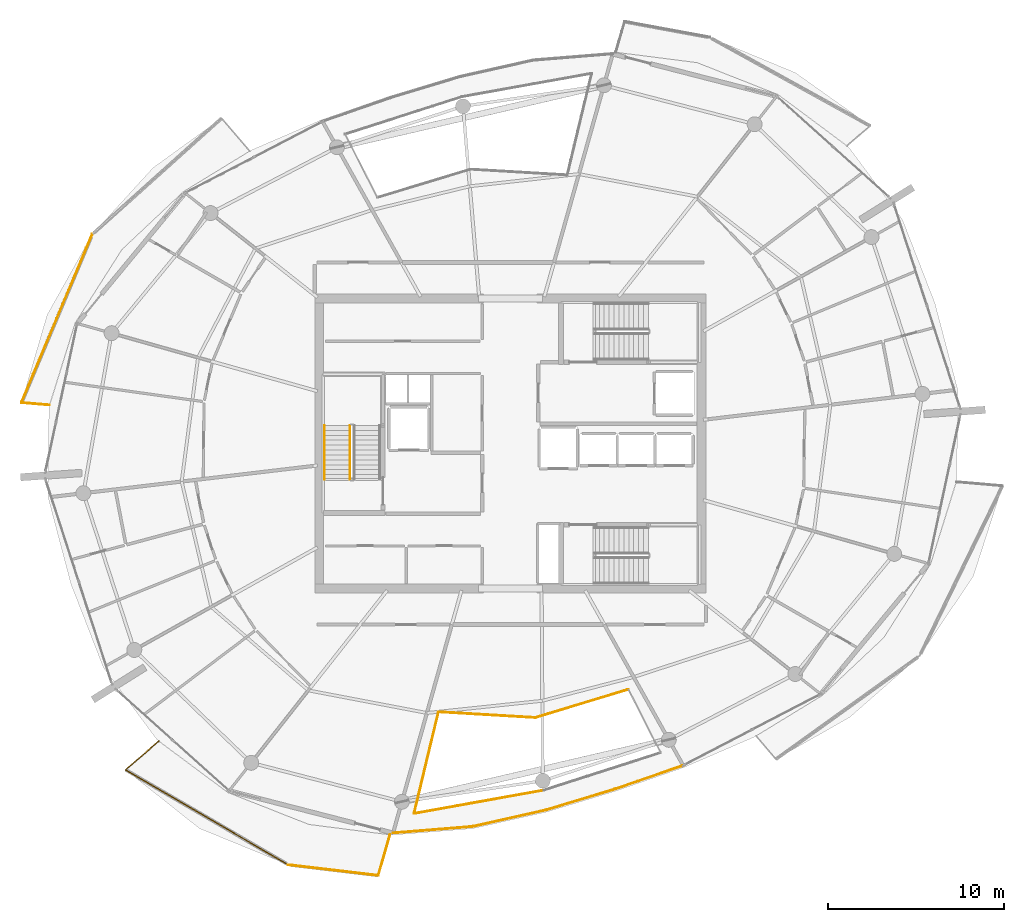
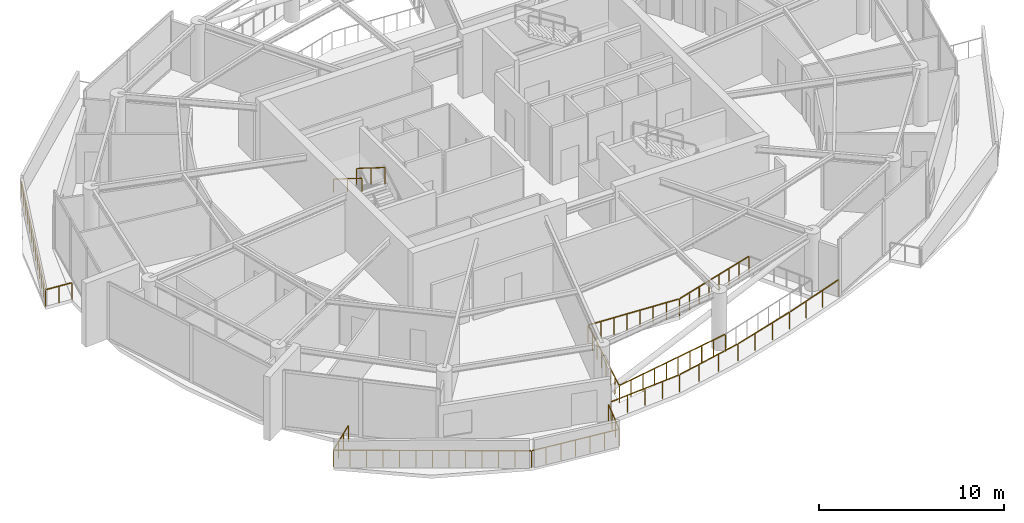
# One storey, part 17 of 21: 13 railings.
"""IFC4 building model written with IfcOpenShell, lengths in metres."""

from ifc_helpers import new_model, si_unit, direction, frame, origin, origin_2d, place, context, subcontext, project, spatial, rectangle, extrude, material, type_object, element, save


model = new_model("IFC4")

# Units and contexts
model_context = context("Model", 3, precision=1e-05, world=origin(), true_north=direction((0.0, 1.0)))
body_context = subcontext(model_context, "Body", "Model", "MODEL_VIEW")
ifc_project = project(units=[si_unit("LENGTHUNIT", "METRE"), si_unit("AREAUNIT", "SQUARE_METRE"), si_unit("VOLUMEUNIT", "CUBIC_METRE"), si_unit("PLANEANGLEUNIT", "RADIAN"), si_unit("MASSUNIT", "GRAM", prefix="KILO")], contexts=[model_context])

# Site, building, storey
site_placement = place(None, origin())
site = spatial("IfcSite", under=ifc_project, at=site_placement, CompositionType="ELEMENT")
building_placement = place(site_placement, origin())
building = spatial("IfcBuilding", under=site, at=building_placement, Name="Kazma Halo Residences", CompositionType="ELEMENT")
storey_placement = place(building_placement, frame((0.0, 0.0, 338.89990234375)))
storey = spatial("IfcBuildingStorey", under=building, at=storey_placement, Name="L85", CompositionType="ELEMENT", Elevation=338.89990234375)

# Railings
ifc_material_1 = material(Name="Aluminium AW-6063 T6 Brushed Cap Rail", Category="aluminium")
railing_type_1 = type_object("IfcRailingType", Name="RLG-BAL-CAP-1120", PredefinedType="BALUSTRADE", material=ifc_material_1)
railing_1_placement = place(storey_placement, frame((24.643310546875, 53.90087890625, 0.0)))
element("IfcRailing", 1, at=railing_1_placement, inside=storey, type_object=railing_type_1, Name="L85 NW wave balcony guard 3", PredefinedType="BALUSTRADE", context=body_context, shape_type="SweptSolid", body=[
    extrude(rectangle(XDim=0.050048828125, YDim=0.050048828125, at=origin_2d()), frame((-0.0166015625, -0.039306640625, 1.09521484375), z_axis=(-0.38744861848, -0.92189129947, 0.0), x_axis=(0.92189129947, -0.38744861848, 0.0)), (0.0, 0.0, 1.0), 10.3037109375),
    extrude(rectangle(XDim=0.0400390625, YDim=0.0400390625, at=origin_2d()), origin(), (0.0, 0.0, 1.0), 1.05810546875),
    extrude(rectangle(XDim=0.0400390625, YDim=0.0400390625, at=origin_2d()), frame((-0.33544921875, -0.798095703125, 0.0)), (0.0, 0.0, 1.0), 1.05810546875),
    extrude(rectangle(XDim=0.0400390625, YDim=0.0400390625, at=origin_2d()), frame((-0.6708984375, -1.59619140625, 0.0)), (0.0, 0.0, 1.0), 1.05810546875),
    extrude(rectangle(XDim=0.0400390625, YDim=0.0400390625, at=origin_2d()), frame((-1.00634765625, -2.394287109375, 0.0)), (0.0, 0.0, 1.0), 1.05810546875),
    extrude(rectangle(XDim=0.0400390625, YDim=0.0400390625, at=origin_2d()), frame((-1.341796875, -3.1923828125, 0.0)), (0.0, 0.0, 1.0), 1.05810546875),
    extrude(rectangle(XDim=0.0400390625, YDim=0.0400390625, at=origin_2d()), frame((-1.67724609375, -3.990478515625, 0.0)), (0.0, 0.0, 1.0), 1.05810546875),
    extrude(rectangle(XDim=0.0400390625, YDim=0.0400390625, at=origin_2d()), frame((-2.0126953125, -4.78857421875, 0.0)), (0.0, 0.0, 1.0), 1.05810546875),
    extrude(rectangle(XDim=0.0400390625, YDim=0.0400390625, at=origin_2d()), frame((-2.347900390625, -5.5869140625, 0.0)), (0.0, 0.0, 1.0), 1.05810546875),
    extrude(rectangle(XDim=0.0400390625, YDim=0.0400390625, at=origin_2d()), frame((-2.683349609375, -6.385009765625, 0.0)), (0.0, 0.0, 1.0), 1.05810546875),
    extrude(rectangle(XDim=0.0400390625, YDim=0.0400390625, at=origin_2d()), frame((-3.018798828125, -7.18310546875, 0.0)), (0.0, 0.0, 1.0), 1.05810546875),
    extrude(rectangle(XDim=0.0400390625, YDim=0.0400390625, at=origin_2d()), frame((-3.354248046875, -7.981201171875, 0.0)), (0.0, 0.0, 1.0), 1.05810546875),
    extrude(rectangle(XDim=0.0400390625, YDim=0.0400390625, at=origin_2d()), frame((-3.689697265625, -8.779296875, 0.0)), (0.0, 0.0, 1.0), 1.05810546875),
    extrude(rectangle(XDim=0.0400390625, YDim=0.0400390625, at=origin_2d()), frame((-4.025146484375, -9.577392578125, 0.0)), (0.0, 0.0, 1.0), 1.05810546875),
])
railing_2_placement = place(storey_placement, frame((20.6181640625, 44.323486328125, 0.0)))
element("IfcRailing", 2, at=railing_2_placement, inside=storey, type_object=railing_type_1, Name="L85 NW wave balcony guard 4", PredefinedType="BALUSTRADE", context=body_context, shape_type="SweptSolid", body=[
    extrude(rectangle(XDim=0.050048828125, YDim=0.050048828125, at=origin_2d()), frame((0.04248046875, -0.003662109375, 1.09521484375), z_axis=(0.996409537018, -0.084664245937, 0.0), x_axis=(0.084664245937, 0.996409537018, 0.0)), (0.0, 0.0, 1.0), 1.512451171875),
    extrude(rectangle(XDim=0.0400390625, YDim=0.0400390625, at=origin_2d()), origin(), (0.0, 0.0, 1.0), 1.05810546875),
    extrude(rectangle(XDim=0.0400390625, YDim=0.0400390625, at=origin_2d()), frame((0.7958984375, -0.067626953125, 0.0)), (0.0, 0.0, 1.0), 1.05810546875),
    extrude(rectangle(XDim=0.0400390625, YDim=0.0400390625, at=origin_2d()), frame((1.591796875, -0.13525390625, 0.0)), (0.0, 0.0, 1.0), 1.05810546875),
])
railing_3_placement = place(storey_placement, frame((28.421630859375, 25.070556640625, 0.0)))
element("IfcRailing", 3, at=railing_3_placement, inside=storey, type_object=railing_type_1, Name="L85 SW wave balcony guard 1", PredefinedType="BALUSTRADE", context=body_context, shape_type="SweptSolid", body=[
    extrude(rectangle(XDim=0.050048828125, YDim=0.050048828125, at=origin_2d()), frame((-0.0322265625, -0.02783203125, 1.09521484375), z_axis=(-0.756399857186, -0.654109513805, 0.0), x_axis=(0.654109513805, -0.756399857186, 0.0)), (0.0, 0.0, 1.0), 2.40673828125),
    extrude(rectangle(XDim=0.0400390625, YDim=0.0400390625, at=origin_2d()), origin(), (0.0, 0.0, 1.0), 1.05810546875),
    extrude(rectangle(XDim=0.0400390625, YDim=0.0400390625, at=origin_2d()), frame((-0.628173828125, -0.543212890625, 0.0)), (0.0, 0.0, 1.0), 1.05810546875),
    extrude(rectangle(XDim=0.0400390625, YDim=0.0400390625, at=origin_2d()), frame((-1.256591796875, -1.086669921875, 0.0)), (0.0, 0.0, 1.0), 1.05810546875),
    extrude(rectangle(XDim=0.0400390625, YDim=0.0400390625, at=origin_2d()), frame((-1.884765625, -1.6298828125, 0.0)), (0.0, 0.0, 1.0), 1.05810546875),
])
railing_4_placement = place(storey_placement, frame((26.536865234375, 23.440673828125, 0.0)))
element("IfcRailing", 4, at=railing_4_placement, inside=storey, type_object=railing_type_1, Name="L85 SW wave balcony guard 2", PredefinedType="BALUSTRADE", context=body_context, shape_type="SweptSolid", body=[
    extrude(rectangle(XDim=0.050048828125, YDim=0.050048828125, at=origin_2d()), frame((0.03662109375, -0.021484375, 1.09521484375), z_axis=(0.863581334001, -0.504209559176, 0.0), x_axis=(0.504209559176, 0.863581334001, 0.0)), (0.0, 0.0, 1.0), 10.63037109375),
    extrude(rectangle(XDim=0.0400390625, YDim=0.0400390625, at=origin_2d()), origin(), (0.0, 0.0, 1.0), 1.05810546875),
    extrude(rectangle(XDim=0.0400390625, YDim=0.0400390625, at=origin_2d()), frame((0.771240234375, -0.4501953125, 0.0)), (0.0, 0.0, 1.0), 1.05810546875),
    extrude(rectangle(XDim=0.0400390625, YDim=0.0400390625, at=origin_2d()), frame((1.542236328125, -0.900390625, 0.0)), (0.0, 0.0, 1.0), 1.05810546875),
    extrude(rectangle(XDim=0.0400390625, YDim=0.0400390625, at=origin_2d()), frame((2.3134765625, -1.3505859375, 0.0)), (0.0, 0.0, 1.0), 1.05810546875),
    extrude(rectangle(XDim=0.0400390625, YDim=0.0400390625, at=origin_2d()), frame((3.08447265625, -1.801025390625, 0.0)), (0.0, 0.0, 1.0), 1.05810546875),
    extrude(rectangle(XDim=0.0400390625, YDim=0.0400390625, at=origin_2d()), frame((3.855712890625, -2.251220703125, 0.0)), (0.0, 0.0, 1.0), 1.05810546875),
    extrude(rectangle(XDim=0.0400390625, YDim=0.0400390625, at=origin_2d()), frame((4.626953125, -2.701416015625, 0.0)), (0.0, 0.0, 1.0), 1.05810546875),
    extrude(rectangle(XDim=0.0400390625, YDim=0.0400390625, at=origin_2d()), frame((5.39794921875, -3.151611328125, 0.0)), (0.0, 0.0, 1.0), 1.05810546875),
    extrude(rectangle(XDim=0.0400390625, YDim=0.0400390625, at=origin_2d()), frame((6.169189453125, -3.601806640625, 0.0)), (0.0, 0.0, 1.0), 1.05810546875),
    extrude(rectangle(XDim=0.0400390625, YDim=0.0400390625, at=origin_2d()), frame((6.940185546875, -4.05224609375, 0.0)), (0.0, 0.0, 1.0), 1.05810546875),
    extrude(rectangle(XDim=0.0400390625, YDim=0.0400390625, at=origin_2d()), frame((7.71142578125, -4.50244140625, 0.0)), (0.0, 0.0, 1.0), 1.05810546875),
    extrude(rectangle(XDim=0.0400390625, YDim=0.0400390625, at=origin_2d()), frame((8.482421875, -4.95263671875, 0.0)), (0.0, 0.0, 1.0), 1.05810546875),
    extrude(rectangle(XDim=0.0400390625, YDim=0.0400390625, at=origin_2d()), frame((9.253662109375, -5.40283203125, 0.0)), (0.0, 0.0, 1.0), 1.05810546875),
])
railing_5_placement = place(storey_placement, frame((35.79052734375, 18.037841796875, 0.0)))
element("IfcRailing", 5, at=railing_5_placement, inside=storey, type_object=railing_type_1, Name="L85 SW wave balcony guard 3", PredefinedType="BALUSTRADE", context=body_context, shape_type="SweptSolid", body=[
    extrude(rectangle(XDim=0.050048828125, YDim=0.050048828125, at=origin_2d()), frame((0.042236328125, -0.005126953125, 1.09521484375), z_axis=(0.993029786506, -0.11786366324, 0.0), x_axis=(0.11786366324, 0.993029786506, 0.0)), (0.0, 0.0, 1.0), 5.068603515625),
    extrude(rectangle(XDim=0.0400390625, YDim=0.0400390625, at=origin_2d()), origin(), (0.0, 0.0, 1.0), 1.05810546875),
    extrude(rectangle(XDim=0.0400390625, YDim=0.0400390625, at=origin_2d()), frame((0.85302734375, -0.101318359375, 0.0)), (0.0, 0.0, 1.0), 1.05810546875),
    extrude(rectangle(XDim=0.0400390625, YDim=0.0400390625, at=origin_2d()), frame((1.705810546875, -0.202392578125, 0.0)), (0.0, 0.0, 1.0), 1.05810546875),
    extrude(rectangle(XDim=0.0400390625, YDim=0.0400390625, at=origin_2d()), frame((2.558837890625, -0.3037109375, 0.0)), (0.0, 0.0, 1.0), 1.05810546875),
    extrude(rectangle(XDim=0.0400390625, YDim=0.0400390625, at=origin_2d()), frame((3.411865234375, -0.405029296875, 0.0)), (0.0, 0.0, 1.0), 1.05810546875),
    extrude(rectangle(XDim=0.0400390625, YDim=0.0400390625, at=origin_2d()), frame((4.2646484375, -0.506103515625, 0.0)), (0.0, 0.0, 1.0), 1.05810546875),
    extrude(rectangle(XDim=0.0400390625, YDim=0.0400390625, at=origin_2d()), frame((5.11767578125, -0.607421875, 0.0)), (0.0, 0.0, 1.0), 1.05810546875),
])
railing_6_placement = place(storey_placement, frame((40.908203125, 17.430419921875, 0.0)))
element("IfcRailing", 6, at=railing_6_placement, inside=storey, type_object=railing_type_1, Name="L85 SW wave balcony guard 4", PredefinedType="BALUSTRADE", context=body_context, shape_type="SweptSolid", body=[
    extrude(rectangle(XDim=0.050048828125, YDim=0.050048828125, at=origin_2d()), frame((0.01171875, 0.040771484375, 1.09521484375), z_axis=(0.277369270014, 0.960763388172, 0.0), x_axis=(-0.960763388172, 0.277369270014, 0.0)), (0.0, 0.0, 1.0), 2.324951171875),
    extrude(rectangle(XDim=0.0400390625, YDim=0.0400390625, at=origin_2d()), origin(), (0.0, 0.0, 1.0), 1.05810546875),
    extrude(rectangle(XDim=0.0400390625, YDim=0.0400390625, at=origin_2d()), frame((0.222900390625, 0.771728515625, 0.0)), (0.0, 0.0, 1.0), 1.05810546875),
    extrude(rectangle(XDim=0.0400390625, YDim=0.0400390625, at=origin_2d()), frame((0.445556640625, 1.543701171875, 0.0)), (0.0, 0.0, 1.0), 1.05810546875),
    extrude(rectangle(XDim=0.0400390625, YDim=0.0400390625, at=origin_2d()), frame((0.66845703125, 2.3154296875, 0.0)), (0.0, 0.0, 1.0), 1.05810546875),
])
ifc_material_2 = material(Name="Brushed Stainless Steel and Laminated Glass", Category="steel")
railing_type_2 = type_object("IfcRailingType", Name="RLG-EXT-GUARD-1150", PredefinedType="GUARDRAIL", material=ifc_material_2)
railing_7_placement = place(storey_placement, frame((44.3349609375, 26.73388671875, 0.0)))
element("IfcRailing", 7, at=railing_7_placement, inside=storey, type_object=railing_type_2, Name="L85 upper wind-portal edge guard 2.1", PredefinedType="GUARDRAIL", context=body_context, shape_type="SweptSolid", body=[
    extrude(rectangle(XDim=0.050048828125, YDim=0.050048828125, at=origin_2d()), frame((0.04248046875, -0.00244140625, 1.125), z_axis=(0.998263068552, -0.058913886013, 0.0), x_axis=(0.058913886013, 0.998263068552, 0.0)), (0.0, 0.0, 1.0), 5.434814453125),
    extrude(rectangle(XDim=0.0400390625, YDim=0.0400390625, at=origin_2d()), origin(), (0.0, 0.0, 1.0), 1.087890625),
    extrude(rectangle(XDim=0.0400390625, YDim=0.0400390625, at=origin_2d()), frame((0.787109375, -0.04638671875, 0.0)), (0.0, 0.0, 1.0), 1.087890625),
    extrude(rectangle(XDim=0.0400390625, YDim=0.0400390625, at=origin_2d()), frame((1.574462890625, -0.093017578125, 0.0)), (0.0, 0.0, 1.0), 1.087890625),
    extrude(rectangle(XDim=0.0400390625, YDim=0.0400390625, at=origin_2d()), frame((2.361572265625, -0.139404296875, 0.0)), (0.0, 0.0, 1.0), 1.087890625),
    extrude(rectangle(XDim=0.0400390625, YDim=0.0400390625, at=origin_2d()), frame((3.148681640625, -0.185791015625, 0.0)), (0.0, 0.0, 1.0), 1.087890625),
    extrude(rectangle(XDim=0.0400390625, YDim=0.0400390625, at=origin_2d()), frame((3.935791015625, -0.232177734375, 0.0)), (0.0, 0.0, 1.0), 1.087890625),
    extrude(rectangle(XDim=0.0400390625, YDim=0.0400390625, at=origin_2d()), frame((4.72314453125, -0.27880859375, 0.0)), (0.0, 0.0, 1.0), 1.087890625),
    extrude(rectangle(XDim=0.0400390625, YDim=0.0400390625, at=origin_2d()), frame((5.51025390625, -0.3251953125, 0.0)), (0.0, 0.0, 1.0), 1.087890625),
])
railing_8_placement = place(storey_placement, frame((49.84521484375, 26.40869140625, 0.0)))
element("IfcRailing", 8, at=railing_8_placement, inside=storey, type_object=railing_type_2, Name="L85 upper wind-portal edge guard 2.2", PredefinedType="GUARDRAIL", context=body_context, shape_type="SweptSolid", body=[
    extrude(rectangle(XDim=0.050048828125, YDim=0.050048828125, at=origin_2d()), frame((0.040771484375, 0.012451171875, 1.125), z_axis=(0.956934342561, 0.290304433358, 0.0), x_axis=(-0.290304433358, 0.956934342561, 0.0)), (0.0, 0.0, 1.0), 5.43505859375),
    extrude(rectangle(XDim=0.0400390625, YDim=0.0400390625, at=origin_2d()), origin(), (0.0, 0.0, 1.0), 1.087890625),
    extrude(rectangle(XDim=0.0400390625, YDim=0.0400390625, at=origin_2d()), frame((0.754638671875, 0.22900390625, 0.0)), (0.0, 0.0, 1.0), 1.087890625),
    extrude(rectangle(XDim=0.0400390625, YDim=0.0400390625, at=origin_2d()), frame((1.50927734375, 0.457763671875, 0.0)), (0.0, 0.0, 1.0), 1.087890625),
    extrude(rectangle(XDim=0.0400390625, YDim=0.0400390625, at=origin_2d()), frame((2.263916015625, 0.686767578125, 0.0)), (0.0, 0.0, 1.0), 1.087890625),
    extrude(rectangle(XDim=0.0400390625, YDim=0.0400390625, at=origin_2d()), frame((3.0185546875, 0.915771484375, 0.0)), (0.0, 0.0, 1.0), 1.087890625),
    extrude(rectangle(XDim=0.0400390625, YDim=0.0400390625, at=origin_2d()), frame((3.773193359375, 1.144775390625, 0.0)), (0.0, 0.0, 1.0), 1.087890625),
    extrude(rectangle(XDim=0.0400390625, YDim=0.0400390625, at=origin_2d()), frame((4.52783203125, 1.37353515625, 0.0)), (0.0, 0.0, 1.0), 1.087890625),
    extrude(rectangle(XDim=0.0400390625, YDim=0.0400390625, at=origin_2d()), frame((5.282470703125, 1.6025390625, 0.0)), (0.0, 0.0, 1.0), 1.087890625),
])
railing_9_placement = place(storey_placement, frame((50.333984375, 22.2802734375, 0.0)))
element("IfcRailing", 9, at=railing_9_placement, inside=storey, type_object=railing_type_2, Name="L85 upper wind-portal edge guard 2.5", PredefinedType="GUARDRAIL", context=body_context, shape_type="SweptSolid", body=[
    extrude(rectangle(XDim=0.050048828125, YDim=0.050048828125, at=origin_2d()), frame((-0.0419921875, -0.007568359375, 1.125), z_axis=(-0.984235798799, -0.176861223455, 0.0), x_axis=(0.176861223455, -0.984235798799, 0.0)), (0.0, 0.0, 1.0), 7.420166015625),
    extrude(rectangle(XDim=0.0400390625, YDim=0.0400390625, at=origin_2d()), origin(), (0.0, 0.0, 1.0), 1.087890625),
    extrude(rectangle(XDim=0.0400390625, YDim=0.0400390625, at=origin_2d()), frame((-0.82080078125, -0.1474609375, 0.0)), (0.0, 0.0, 1.0), 1.087890625),
    extrude(rectangle(XDim=0.0400390625, YDim=0.0400390625, at=origin_2d()), frame((-1.6416015625, -0.294921875, 0.0)), (0.0, 0.0, 1.0), 1.087890625),
    extrude(rectangle(XDim=0.0400390625, YDim=0.0400390625, at=origin_2d()), frame((-2.46240234375, -0.4423828125, 0.0)), (0.0, 0.0, 1.0), 1.087890625),
    extrude(rectangle(XDim=0.0400390625, YDim=0.0400390625, at=origin_2d()), frame((-3.283203125, -0.58984375, 0.0)), (0.0, 0.0, 1.0), 1.087890625),
    extrude(rectangle(XDim=0.0400390625, YDim=0.0400390625, at=origin_2d()), frame((-4.103759765625, -0.737548828125, 0.0)), (0.0, 0.0, 1.0), 1.087890625),
    extrude(rectangle(XDim=0.0400390625, YDim=0.0400390625, at=origin_2d()), frame((-4.924560546875, -0.885009765625, 0.0)), (0.0, 0.0, 1.0), 1.087890625),
    extrude(rectangle(XDim=0.0400390625, YDim=0.0400390625, at=origin_2d()), frame((-5.745361328125, -1.032470703125, 0.0)), (0.0, 0.0, 1.0), 1.087890625),
    extrude(rectangle(XDim=0.0400390625, YDim=0.0400390625, at=origin_2d()), frame((-6.566162109375, -1.179931640625, 0.0)), (0.0, 0.0, 1.0), 1.087890625),
    extrude(rectangle(XDim=0.0400390625, YDim=0.0400390625, at=origin_2d()), frame((-7.386962890625, -1.327392578125, 0.0)), (0.0, 0.0, 1.0), 1.087890625),
])
railing_10_placement = place(storey_placement, frame((42.947021484375, 20.952880859375, 0.0)))
element("IfcRailing", 10, at=railing_10_placement, inside=storey, type_object=railing_type_2, Name="L85 upper wind-portal edge guard 2.6", PredefinedType="GUARDRAIL", context=body_context, shape_type="SweptSolid", body=[
    extrude(rectangle(XDim=0.050048828125, YDim=0.050048828125, at=origin_2d()), frame((0.010009765625, 0.041259765625, 1.125), z_axis=(0.233452160997, 0.972368288523, 0.0), x_axis=(-0.972368288523, 0.233452160997, 0.0)), (0.0, 0.0, 1.0), 5.860107421875),
    extrude(rectangle(XDim=0.0400390625, YDim=0.0400390625, at=origin_2d()), origin(), (0.0, 0.0, 1.0), 1.087890625),
    extrude(rectangle(XDim=0.0400390625, YDim=0.0400390625, at=origin_2d()), frame((0.1982421875, 0.825927734375, 0.0)), (0.0, 0.0, 1.0), 1.087890625),
    extrude(rectangle(XDim=0.0400390625, YDim=0.0400390625, at=origin_2d()), frame((0.396484375, 1.651611328125, 0.0)), (0.0, 0.0, 1.0), 1.087890625),
    extrude(rectangle(XDim=0.0400390625, YDim=0.0400390625, at=origin_2d()), frame((0.5947265625, 2.4775390625, 0.0)), (0.0, 0.0, 1.0), 1.087890625),
    extrude(rectangle(XDim=0.0400390625, YDim=0.0400390625, at=origin_2d()), frame((0.793212890625, 3.303466796875, 0.0)), (0.0, 0.0, 1.0), 1.087890625),
    extrude(rectangle(XDim=0.0400390625, YDim=0.0400390625, at=origin_2d()), frame((0.991455078125, 4.12939453125, 0.0)), (0.0, 0.0, 1.0), 1.087890625),
    extrude(rectangle(XDim=0.0400390625, YDim=0.0400390625, at=origin_2d()), frame((1.189697265625, 4.955078125, 0.0)), (0.0, 0.0, 1.0), 1.087890625),
    extrude(rectangle(XDim=0.0400390625, YDim=0.0400390625, at=origin_2d()), frame((1.387939453125, 5.781005859375, 0.0)), (0.0, 0.0, 1.0), 1.087890625),
])
railing_11_placement = place(storey_placement, frame((41.751953125, 19.84619140625, 0.0)))
element("IfcRailing", 11, at=railing_11_placement, inside=storey, type_object=railing_type_2, Name="L85 upper wind-portal outer rim guard 2", PredefinedType="GUARDRAIL", context=body_context, shape_type="SweptSolid", body=[
    extrude(rectangle(XDim=0.050048828125, YDim=0.050048828125, at=origin_2d()), frame((0.04248046875, 0.00341796875, 1.125), z_axis=(0.996709972845, 0.081050786741, 0.0), x_axis=(-0.081050786741, 0.996709972845, 0.0)), (0.0, 0.0, 1.0), 4.46337890625),
    extrude(rectangle(XDim=0.050048828125, YDim=0.050048828125, at=origin_2d()), frame((4.574951171875, 0.3779296875, 1.125), z_axis=(0.975482432849, 0.220077311878, 0.0), x_axis=(-0.220077311878, 0.975482432849, 0.0)), (0.0, 0.0, 1.0), 4.201416015625),
    extrude(rectangle(XDim=0.050048828125, YDim=0.050048828125, at=origin_2d()), frame((8.755615234375, 1.32421875, 1.125), z_axis=(0.957126127976, 0.289671495225, 0.0), x_axis=(-0.289671495225, 0.957126127976, 0.0)), (0.0, 0.0, 1.0), 4.01025390625),
    extrude(rectangle(XDim=0.050048828125, YDim=0.050048828125, at=origin_2d()), frame((12.6748046875, 2.51220703125, 1.125), z_axis=(0.944594872531, 0.328238521184, 0.0), x_axis=(-0.328238521184, 0.944594872531, 0.0)), (0.0, 0.0, 1.0), 4.01025390625),
    extrude(rectangle(XDim=0.0400390625, YDim=0.0400390625, at=origin_2d()), origin(), (0.0, 0.0, 1.0), 1.087890625),
    extrude(rectangle(XDim=0.0400390625, YDim=0.0400390625, at=origin_2d()), frame((1.13330078125, 0.09228515625, 0.0)), (0.0, 0.0, 1.0), 1.087890625),
    extrude(rectangle(XDim=0.0400390625, YDim=0.0400390625, at=origin_2d()), frame((2.2666015625, 0.184326171875, 0.0)), (0.0, 0.0, 1.0), 1.087890625),
    extrude(rectangle(XDim=0.0400390625, YDim=0.0400390625, at=origin_2d()), frame((3.400146484375, 0.2763671875, 0.0)), (0.0, 0.0, 1.0), 1.087890625),
    extrude(rectangle(XDim=0.0400390625, YDim=0.0400390625, at=origin_2d()), frame((4.533447265625, 0.36865234375, 0.0)), (0.0, 0.0, 1.0), 1.087890625),
    extrude(rectangle(XDim=0.0400390625, YDim=0.0400390625, at=origin_2d()), frame((5.92724609375, 0.68310546875, 0.0)), (0.0, 0.0, 1.0), 1.087890625),
    extrude(rectangle(XDim=0.0400390625, YDim=0.0400390625, at=origin_2d()), frame((7.321044921875, 0.99755859375, 0.0)), (0.0, 0.0, 1.0), 1.087890625),
    extrude(rectangle(XDim=0.0400390625, YDim=0.0400390625, at=origin_2d()), frame((8.71484375, 1.31201171875, 0.0)), (0.0, 0.0, 1.0), 1.087890625),
    extrude(rectangle(XDim=0.0400390625, YDim=0.0400390625, at=origin_2d()), frame((10.021484375, 1.70751953125, 0.0)), (0.0, 0.0, 1.0), 1.087890625),
    extrude(rectangle(XDim=0.0400390625, YDim=0.0400390625, at=origin_2d()), frame((11.327880859375, 2.102783203125, 0.0)), (0.0, 0.0, 1.0), 1.087890625),
    extrude(rectangle(XDim=0.0400390625, YDim=0.0400390625, at=origin_2d()), frame((12.634521484375, 2.498291015625, 0.0)), (0.0, 0.0, 1.0), 1.087890625),
    extrude(rectangle(XDim=0.0400390625, YDim=0.0400390625, at=origin_2d()), frame((13.924072265625, 2.9462890625, 0.0)), (0.0, 0.0, 1.0), 1.087890625),
    extrude(rectangle(XDim=0.0400390625, YDim=0.0400390625, at=origin_2d()), frame((15.21337890625, 3.39453125, 0.0)), (0.0, 0.0, 1.0), 1.087890625),
    extrude(rectangle(XDim=0.0400390625, YDim=0.0400390625, at=origin_2d()), frame((16.5029296875, 3.842529296875, 0.0)), (0.0, 0.0, 1.0), 1.087890625),
])
ifc_material_3 = material(Name="Painted Steel S355", Category="steel")
railing_type_3 = type_object("IfcRailingType", Name="RLG-STAIR-GRD-1100", PredefinedType="GUARDRAIL", material=ifc_material_3)
railing_12_placement = place(storey_placement, frame((39.300048828125, 43.030029296875, 2.275146484375)))
element("IfcRailing", 12, at=railing_12_placement, inside=storey, type_object=railing_type_3, Name="L85 ST-01 stair guard 3", PredefinedType="GUARDRAIL", context=body_context, shape_type="SweptSolid", body=[
    extrude(rectangle(XDim=0.050048828125, YDim=0.050048828125, at=origin_2d()), frame((0.0, -0.0361328125, 1.09765625), z_axis=(0.0, -0.847998304005, 0.529998940003), x_axis=(1.0, 0.0, 0.0)), (0.0, 0.0, 1.0), 3.547119140625),
    extrude(rectangle(XDim=0.0400390625, YDim=0.0400390625, at=origin_2d()), origin(), (0.0, 0.0, 1.0), 1.0380859375),
    extrude(rectangle(XDim=0.0400390625, YDim=0.0400390625, at=origin_2d()), frame((0.0, -1.5400390625, 0.96240234375)), (0.0, 0.0, 1.0), 1.0380859375),
    extrude(rectangle(XDim=0.0400390625, YDim=0.0400390625, at=origin_2d()), frame((0.0, -3.080078125, 1.925048828125)), (0.0, 0.0, 1.0), 1.0380859375),
])
ifc_material_4 = material(Name="Brushed Stainless Steel", Category="steel")
railing_type_4 = type_object("IfcRailingType", Name="RLG-STAIR-HND-900", PredefinedType="HANDRAIL", material=ifc_material_4)
railing_13_placement = place(storey_placement, frame((37.85009765625, 43.030029296875, 2.275146484375)))
element("IfcRailing", 13, at=railing_13_placement, inside=storey, type_object=railing_type_4, Name="L85 ST-01 stair handrail 2", PredefinedType="HANDRAIL", context=body_context, shape_type="SweptSolid", body=[
    extrude(rectangle(XDim=0.050048828125, YDim=0.050048828125, at=origin_2d()), frame((0.0, -0.0361328125, 0.8974609375), z_axis=(0.0, -0.847998304005, 0.529998940003), x_axis=(1.0, 0.0, 0.0)), (0.0, 0.0, 1.0), 3.547119140625),
    extrude(rectangle(XDim=0.0400390625, YDim=0.0400390625, at=origin_2d()), origin(), (0.0, 0.0, 1.0), 0.837890625),
    extrude(rectangle(XDim=0.0400390625, YDim=0.0400390625, at=origin_2d()), frame((0.0, -1.5400390625, 0.96240234375)), (0.0, 0.0, 1.0), 0.837890625),
    extrude(rectangle(XDim=0.0400390625, YDim=0.0400390625, at=origin_2d()), frame((0.0, -3.080078125, 1.925048828125)), (0.0, 0.0, 1.0), 0.837890625),
])

save(model, "model.ifc")
